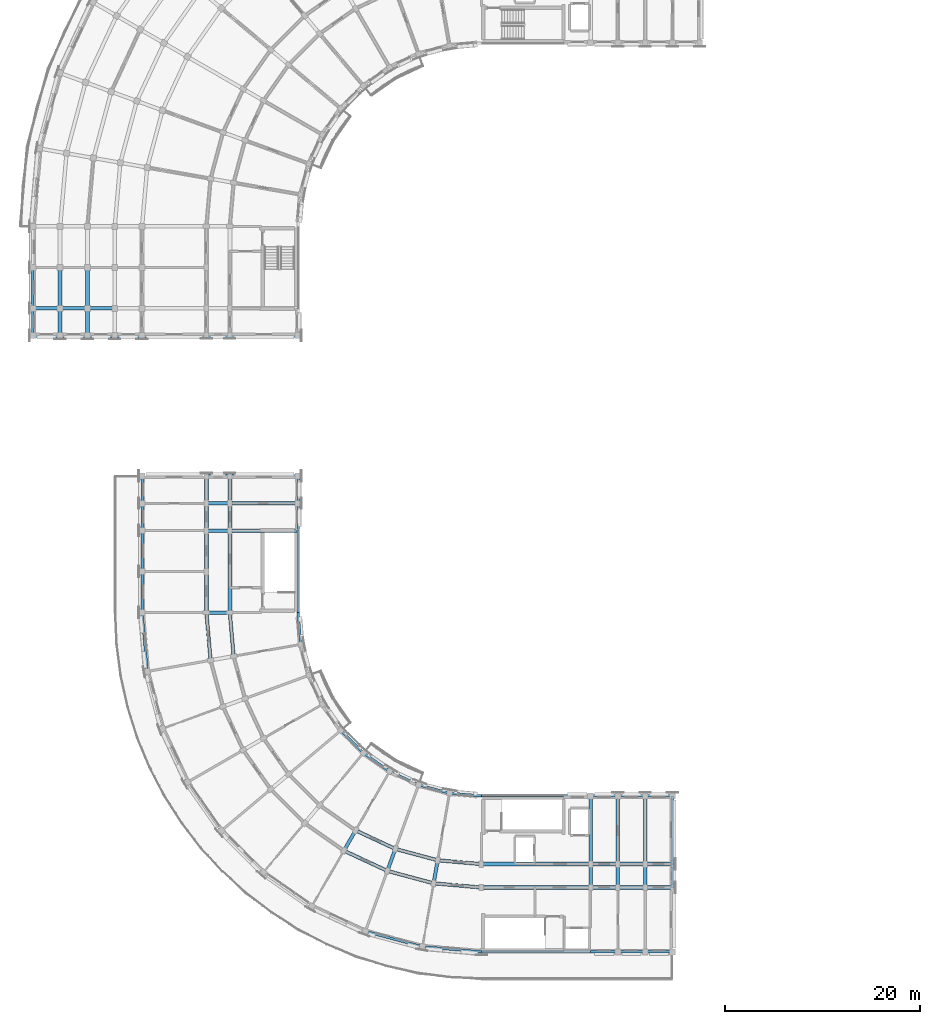
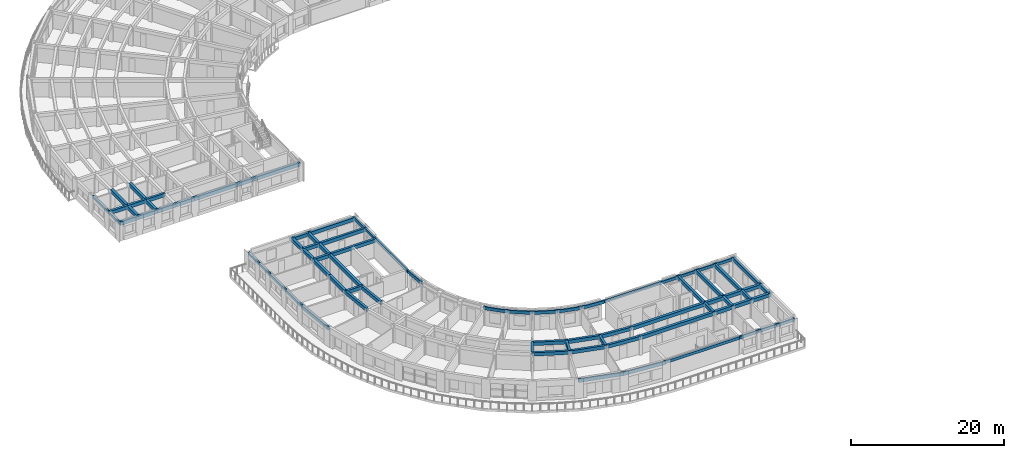
# One storey, part 4 of 53: 81 beams.
"""IFC4 building model written with IfcOpenShell, lengths in metres."""

from ifc_helpers import new_model, si_unit, direction, frame, origin, origin_2d, place, context, subcontext, project, spatial, rectangle, extrude, material, material_profile, profile_set, type_object, element, save


model = new_model("IFC4")

# Units and contexts
model_context = context("Model", 3, precision=1e-05, world=origin(), true_north=direction((0.0, 1.0)))
body_context = subcontext(model_context, "Body", "Model", "MODEL_VIEW")
ifc_project = project(units=[si_unit("LENGTHUNIT", "METRE"), si_unit("AREAUNIT", "SQUARE_METRE"), si_unit("VOLUMEUNIT", "CUBIC_METRE"), si_unit("PLANEANGLEUNIT", "RADIAN"), si_unit("MASSUNIT", "GRAM", prefix="KILO")], contexts=[model_context])

# Site, building, storey
site_placement = place(None, origin())
site = spatial("IfcSite", under=ifc_project, at=site_placement, CompositionType="ELEMENT")
building_placement = place(site_placement, origin())
building = spatial("IfcBuilding", under=site, at=building_placement, Name="Kiranvali Square Residences", CompositionType="ELEMENT")
storey_placement = place(building_placement, frame((0.0, 0.0, 30.75)))
storey = spatial("IfcBuildingStorey", under=building, at=storey_placement, Name="L09", CompositionType="ELEMENT", Elevation=30.75)

# Beams
ifc_material_1 = material(Name="Concrete M40 (40 MPa)", Category="concrete")
ifc_material_profile_1 = material_profile(ifc_material_1, rectangle(XDim=0.35009765625, YDim=0.550048828125, at=origin_2d()), Name="RC 350x550")
ifc_profile_set_1 = profile_set([ifc_material_profile_1], Name="Concrete M40 (40 MPa)")
beam_type_1 = type_object("IfcBeamType", Name="BM-M40-350x550", PredefinedType="BEAM", material=ifc_profile_set_1)
for number, where, z_axis, x_axis, name in (
    (1, (10.60009765625, 79.39990234375, 2.655029296875), (-1.0, 0.0, 0.0), (0.0, -1.0, 0.0), "L09 beam BM-A-L09-A2T1-45"),
    (2, (7.800048828125, 79.39990234375, 2.655029296875), (-1.0, 0.0, 0.0), (0.0, -1.0, 0.0), "L09 beam BM-A-L09-A2T1-56"),
    (3, (5.0, 79.39990234375, 2.655029296875), (-1.0, 0.0, 0.0), (0.0, -1.0, 0.0), "L09 beam BM-A-L09-A2T1-67"),
):
    element("IfcBeam", number, at=place(storey_placement, frame(where, z_axis=z_axis, x_axis=x_axis)), inside=storey, type_object=beam_type_1, Name=name, PredefinedType="BEAM", context=body_context, shape_type="SweptSolid", body=[
        extrude(rectangle(XDim=0.35009765625, YDim=0.550048828125, at=origin_2d()), origin(), (0.0, 0.0, 1.0), 2.800048828125),
    ])
beam_1_placement = place(storey_placement, frame((29.39990234375, 76.60009765625, 2.655029296875), z_axis=(-1.0, 0.0, 0.0), x_axis=(0.0, -1.0, 0.0)))
element("IfcBeam", 4, at=beam_1_placement, inside=storey, type_object=beam_type_1, Name="L09 beam BM-A-L09-A2T2-01", PredefinedType="BEAM", context=body_context, shape_type="SweptSolid", body=[
    extrude(rectangle(XDim=0.35009765625, YDim=0.550048828125, at=origin_2d()), origin(), (0.0, 0.0, 1.0), 7.0),
])
beam_2_placement = place(storey_placement, frame((22.39990234375, 76.60009765625, 2.655029296875), z_axis=(-1.0, 0.0, 0.0), x_axis=(0.0, -1.0, 0.0)))
element("IfcBeam", 5, at=beam_2_placement, inside=storey, type_object=beam_type_1, Name="L09 beam BM-A-L09-A2T2-12", PredefinedType="BEAM", context=body_context, shape_type="SweptSolid", body=[
    extrude(rectangle(XDim=0.35009765625, YDim=0.550048828125, at=origin_2d()), origin(), (0.0, 0.0, 1.0), 2.39990234375),
])
beam_3_placement = place(storey_placement, frame((20.0, 76.60009765625, 2.655029296875), z_axis=(-1.0, 0.0, 0.0), x_axis=(0.0, -1.0, 0.0)))
element("IfcBeam", 6, at=beam_3_placement, inside=storey, type_object=beam_type_1, Name="L09 beam BM-A-L09-A2T2-23", PredefinedType="BEAM", context=body_context, shape_type="SweptSolid", body=[
    extrude(rectangle(XDim=0.35009765625, YDim=0.550048828125, at=origin_2d()), origin(), (0.0, 0.0, 1.0), 6.60009765625),
])
beam_4_placement = place(storey_placement, frame((13.39990234375, 76.60009765625, 2.655029296875), z_axis=(-1.0, 0.0, 0.0), x_axis=(0.0, -1.0, 0.0)))
element("IfcBeam", 7, at=beam_4_placement, inside=storey, type_object=beam_type_1, Name="L09 beam BM-A-L09-A2T2-34", PredefinedType="BEAM", context=body_context, shape_type="SweptSolid", body=[
    extrude(rectangle(XDim=0.35009765625, YDim=0.550048828125, at=origin_2d()), origin(), (0.0, 0.0, 1.0), 2.7998046875),
])
for number, where, z_axis, x_axis, name in (
    (8, (10.60009765625, 76.60009765625, 2.655029296875), (-1.0, 0.0, 0.0), (0.0, -1.0, 0.0), "L09 beam BM-A-L09-A2T2-45"),
    (9, (7.800048828125, 76.60009765625, 2.655029296875), (-1.0, 0.0, 0.0), (0.0, -1.0, 0.0), "L09 beam BM-A-L09-A2T2-56"),
    (10, (5.0, 76.60009765625, 2.655029296875), (-1.0, 0.0, 0.0), (0.0, -1.0, 0.0), "L09 beam BM-A-L09-A2T2-67"),
):
    element("IfcBeam", number, at=place(storey_placement, frame(where, z_axis=z_axis, x_axis=x_axis)), inside=storey, type_object=beam_type_1, Name=name, PredefinedType="BEAM", context=body_context, shape_type="SweptSolid", body=[
        extrude(rectangle(XDim=0.35009765625, YDim=0.550048828125, at=origin_2d()), origin(), (0.0, 0.0, 1.0), 2.800048828125),
    ])
beam_5_placement = place(storey_placement, frame((48.199951171875, 22.39990234375, 2.635009765625), z_axis=(-0.996191949488, 0.087187153726, 0.0), x_axis=(-0.087187153726, -0.996191949488, 0.0)))
element("IfcBeam", 11, at=beam_5_placement, inside=storey, type_object=beam_type_1, Name="L09 beam BM-C-L09-C00-R1", PredefinedType="BEAM", context=body_context, shape_type="SweptSolid", body=[
    extrude(rectangle(XDim=0.35009765625, YDim=0.550048828125, at=origin_2d()), origin(), (0.0, 0.0, 1.0), 4.4970703125),
])
beam_6_placement = place(storey_placement, frame((48.199951171875, 20.0, 2.635009765625), z_axis=(-0.996193663584, 0.087167566415, 0.0), x_axis=(-0.087167566415, -0.996193663584, 0.0)))
element("IfcBeam", 12, at=beam_6_placement, inside=storey, type_object=beam_type_1, Name="L09 beam BM-C-L09-C00-R2", PredefinedType="BEAM", context=body_context, shape_type="SweptSolid", body=[
    extrude(rectangle(XDim=0.35009765625, YDim=0.550048828125, at=origin_2d()), origin(), (0.0, 0.0, 1.0), 4.91552734375),
])
beam_7_placement = place(storey_placement, frame((43.719970703125, 22.7919921875, 2.635009765625), z_axis=(-0.965934240054, 0.258787642463, 0.0), x_axis=(-0.258787642463, -0.965934240054, 0.0)))
element("IfcBeam", 13, at=beam_7_placement, inside=storey, type_object=beam_type_1, Name="L09 beam BM-C-L09-C01-R1", PredefinedType="BEAM", context=body_context, shape_type="SweptSolid", body=[
    extrude(rectangle(XDim=0.35009765625, YDim=0.550048828125, at=origin_2d()), origin(), (0.0, 0.0, 1.0), 4.497314453125),
])
beam_8_placement = place(storey_placement, frame((43.30322265625, 20.428466796875, 2.635009765625), z_axis=(-0.965930095386, 0.258803112091, 0.0), x_axis=(-0.258803112091, -0.965930095386, 0.0)))
element("IfcBeam", 14, at=beam_8_placement, inside=storey, type_object=beam_type_1, Name="L09 beam BM-C-L09-C01-R2", PredefinedType="BEAM", context=body_context, shape_type="SweptSolid", body=[
    extrude(rectangle(XDim=0.35009765625, YDim=0.550048828125, at=origin_2d()), origin(), (0.0, 0.0, 1.0), 4.915771484375),
])
beam_9_placement = place(storey_placement, frame((39.3759765625, 23.955810546875, 2.635009765625), z_axis=(-0.906307919131, 0.422617978463, 0.0), x_axis=(-0.422617978463, -0.906307919131, 0.0)))
element("IfcBeam", 15, at=beam_9_placement, inside=storey, type_object=beam_type_1, Name="L09 beam BM-C-L09-C02-R1", PredefinedType="BEAM", context=body_context, shape_type="SweptSolid", body=[
    extrude(rectangle(XDim=0.35009765625, YDim=0.550048828125, at=origin_2d()), origin(), (0.0, 0.0, 1.0), 4.497314453125),
])
beam_10_placement = place(storey_placement, frame((38.554931640625, 21.70068359375, 2.635009765625), z_axis=(-0.906302381024, 0.422629854778, 0.0), x_axis=(-0.422629854778, -0.906302381024, 0.0)))
element("IfcBeam", 16, at=beam_10_placement, inside=storey, type_object=beam_type_1, Name="L09 beam BM-C-L09-C02-R2", PredefinedType="BEAM", context=body_context, shape_type="SweptSolid", body=[
    extrude(rectangle(XDim=0.35009765625, YDim=0.550048828125, at=origin_2d()), origin(), (0.0, 0.0, 1.0), 4.915283203125),
])
beam_11_placement = place(storey_placement, frame((22.7919921875, 43.719970703125, 2.635009765625), z_axis=(-0.087187153726, 0.996191949488, 0.0), x_axis=(-0.996191949488, -0.087187153726, 0.0)))
element("IfcBeam", 17, at=beam_11_placement, inside=storey, type_object=beam_type_1, Name="L09 beam BM-C-L09-C08-R1", PredefinedType="BEAM", context=body_context, shape_type="SweptSolid", body=[
    extrude(rectangle(XDim=0.35009765625, YDim=0.550048828125, at=origin_2d()), origin(), (0.0, 0.0, 1.0), 4.4970703125),
])
beam_12_placement = place(storey_placement, frame((20.428466796875, 43.30322265625, 2.635009765625), z_axis=(-0.087167566415, 0.996193663584, 0.0), x_axis=(-0.996193663584, -0.087167566415, 0.0)))
element("IfcBeam", 18, at=beam_12_placement, inside=storey, type_object=beam_type_1, Name="L09 beam BM-C-L09-C08-R2", PredefinedType="BEAM", context=body_context, shape_type="SweptSolid", body=[
    extrude(rectangle(XDim=0.35009765625, YDim=0.550048828125, at=origin_2d()), origin(), (0.0, 0.0, 1.0), 4.91552734375),
])
for number, where, z_axis, x_axis, name in (
    (19, (43.719970703125, 22.7919921875, 2.635009765625), (-0.173646056486, -0.984808127031, 0.0), (0.984808127031, -0.173646056486, 0.0), "L09 beam BM-C-L09-RAD01-12"),
    (20, (39.3759765625, 23.955810546875, 2.635009765625), (-0.342110593602, -0.939659694648, 0.0), (0.939659694648, -0.342110593602, 0.0), "L09 beam BM-C-L09-RAD02-12"),
    (21, (35.300048828125, 25.8564453125, 2.635009765625), (-0.500001309137, -0.866024647952, 0.0), (0.866024647952, -0.500001309137, 0.0), "L09 beam BM-C-L09-RAD03-12"),
):
    element("IfcBeam", number, at=place(storey_placement, frame(where, z_axis=z_axis, x_axis=x_axis)), inside=storey, type_object=beam_type_1, Name=name, PredefinedType="BEAM", context=body_context, shape_type="SweptSolid", body=[
        extrude(rectangle(XDim=0.35009765625, YDim=0.550048828125, at=origin_2d()), origin(), (0.0, 0.0, 1.0), 2.39990234375),
    ])
beam_13_placement = place(storey_placement, frame((59.39990234375, 29.39990234375, 2.635009765625), z_axis=(0.0, -1.0, 0.0), x_axis=(1.0, 0.0, 0.0)))
element("IfcBeam", 22, at=beam_13_placement, inside=storey, type_object=beam_type_1, Name="L09 beam BM-C-L09-A1T1-01", PredefinedType="BEAM", context=body_context, shape_type="SweptSolid", body=[
    extrude(rectangle(XDim=0.35009765625, YDim=0.550048828125, at=origin_2d()), origin(), (0.0, 0.0, 1.0), 7.0),
])
beam_14_placement = place(storey_placement, frame((59.39990234375, 22.39990234375, 2.635009765625), z_axis=(0.0, -1.0, 0.0), x_axis=(1.0, 0.0, 0.0)))
element("IfcBeam", 23, at=beam_14_placement, inside=storey, type_object=beam_type_1, Name="L09 beam BM-C-L09-A1T1-12", PredefinedType="BEAM", context=body_context, shape_type="SweptSolid", body=[
    extrude(rectangle(XDim=0.35009765625, YDim=0.550048828125, at=origin_2d()), origin(), (0.0, 0.0, 1.0), 2.39990234375),
])
beam_15_placement = place(storey_placement, frame((62.199951171875, 29.39990234375, 2.635009765625), z_axis=(0.0, -1.0, 0.0), x_axis=(1.0, 0.0, 0.0)))
element("IfcBeam", 24, at=beam_15_placement, inside=storey, type_object=beam_type_1, Name="L09 beam BM-C-L09-A1T2-01", PredefinedType="BEAM", context=body_context, shape_type="SweptSolid", body=[
    extrude(rectangle(XDim=0.35009765625, YDim=0.550048828125, at=origin_2d()), origin(), (0.0, 0.0, 1.0), 7.0),
])
beam_16_placement = place(storey_placement, frame((62.199951171875, 22.39990234375, 2.635009765625), z_axis=(0.0, -1.0, 0.0), x_axis=(1.0, 0.0, 0.0)))
element("IfcBeam", 25, at=beam_16_placement, inside=storey, type_object=beam_type_1, Name="L09 beam BM-C-L09-A1T2-12", PredefinedType="BEAM", context=body_context, shape_type="SweptSolid", body=[
    extrude(rectangle(XDim=0.35009765625, YDim=0.550048828125, at=origin_2d()), origin(), (0.0, 0.0, 1.0), 2.39990234375),
])
beam_17_placement = place(storey_placement, frame((65.0, 29.39990234375, 2.635009765625), z_axis=(0.0, -1.0, 0.0), x_axis=(1.0, 0.0, 0.0)))
element("IfcBeam", 26, at=beam_17_placement, inside=storey, type_object=beam_type_1, Name="L09 beam BM-C-L09-A1T3-01", PredefinedType="BEAM", context=body_context, shape_type="SweptSolid", body=[
    extrude(rectangle(XDim=0.35009765625, YDim=0.550048828125, at=origin_2d()), origin(), (0.0, 0.0, 1.0), 7.0),
])
beam_18_placement = place(storey_placement, frame((65.0, 22.39990234375, 2.635009765625), z_axis=(0.0, -1.0, 0.0), x_axis=(1.0, 0.0, 0.0)))
element("IfcBeam", 27, at=beam_18_placement, inside=storey, type_object=beam_type_1, Name="L09 beam BM-C-L09-A1T3-12", PredefinedType="BEAM", context=body_context, shape_type="SweptSolid", body=[
    extrude(rectangle(XDim=0.35009765625, YDim=0.550048828125, at=origin_2d()), origin(), (0.0, 0.0, 1.0), 2.39990234375),
])
beam_19_placement = place(storey_placement, frame((67.800048828125, 29.39990234375, 2.635009765625), z_axis=(0.0, -1.0, 0.0), x_axis=(1.0, 0.0, 0.0)))
element("IfcBeam", 28, at=beam_19_placement, inside=storey, type_object=beam_type_1, Name="L09 beam BM-C-L09-A1T4-01", PredefinedType="BEAM", context=body_context, shape_type="SweptSolid", body=[
    extrude(rectangle(XDim=0.35009765625, YDim=0.550048828125, at=origin_2d()), origin(), (0.0, 0.0, 1.0), 7.0),
])
for number, where, z_axis, x_axis, name in (
    (29, (67.800048828125, 22.39990234375, 2.635009765625), (0.0, -1.0, 0.0), (1.0, 0.0, 0.0), "L09 beam BM-C-L09-A1T4-12"),
    (30, (22.39990234375, 48.199951171875, 2.635009765625), (-1.0, 0.0, 0.0), (0.0, -1.0, 0.0), "L09 beam BM-C-L09-A2T0-12"),
):
    element("IfcBeam", number, at=place(storey_placement, frame(where, z_axis=z_axis, x_axis=x_axis)), inside=storey, type_object=beam_type_1, Name=name, PredefinedType="BEAM", context=body_context, shape_type="SweptSolid", body=[
        extrude(rectangle(XDim=0.35009765625, YDim=0.550048828125, at=origin_2d()), origin(), (0.0, 0.0, 1.0), 2.39990234375),
    ])
beam_20_placement = place(storey_placement, frame((29.39990234375, 56.60009765625, 2.635009765625), z_axis=(-1.0, 0.0, 0.0), x_axis=(0.0, -1.0, 0.0)))
element("IfcBeam", 31, at=beam_20_placement, inside=storey, type_object=beam_type_1, Name="L09 beam BM-C-L09-A2T1-01", PredefinedType="BEAM", context=body_context, shape_type="SweptSolid", body=[
    extrude(rectangle(XDim=0.35009765625, YDim=0.550048828125, at=origin_2d()), origin(), (0.0, 0.0, 1.0), 7.0),
])
beam_21_placement = place(storey_placement, frame((22.39990234375, 56.60009765625, 2.635009765625), z_axis=(-1.0, 0.0, 0.0), x_axis=(0.0, -1.0, 0.0)))
element("IfcBeam", 32, at=beam_21_placement, inside=storey, type_object=beam_type_1, Name="L09 beam BM-C-L09-A2T1-12", PredefinedType="BEAM", context=body_context, shape_type="SweptSolid", body=[
    extrude(rectangle(XDim=0.35009765625, YDim=0.550048828125, at=origin_2d()), origin(), (0.0, 0.0, 1.0), 2.39990234375),
])
beam_22_placement = place(storey_placement, frame((29.39990234375, 59.39990234375, 2.635009765625), z_axis=(-1.0, 0.0, 0.0), x_axis=(0.0, -1.0, 0.0)))
element("IfcBeam", 33, at=beam_22_placement, inside=storey, type_object=beam_type_1, Name="L09 beam BM-C-L09-A2T2-01", PredefinedType="BEAM", context=body_context, shape_type="SweptSolid", body=[
    extrude(rectangle(XDim=0.35009765625, YDim=0.550048828125, at=origin_2d()), origin(), (0.0, 0.0, 1.0), 7.0),
])
beam_23_placement = place(storey_placement, frame((22.39990234375, 59.39990234375, 2.635009765625), z_axis=(-1.0, 0.0, 0.0), x_axis=(0.0, -1.0, 0.0)))
element("IfcBeam", 34, at=beam_23_placement, inside=storey, type_object=beam_type_1, Name="L09 beam BM-C-L09-A2T2-12", PredefinedType="BEAM", context=body_context, shape_type="SweptSolid", body=[
    extrude(rectangle(XDim=0.35009765625, YDim=0.550048828125, at=origin_2d()), origin(), (0.0, 0.0, 1.0), 2.39990234375),
])
beam_24_placement = place(storey_placement, frame((29.39990234375, 62.199951171875, 2.635009765625), z_axis=(-1.0, 0.0, 0.0), x_axis=(0.0, -1.0, 0.0)))
element("IfcBeam", 35, at=beam_24_placement, inside=storey, type_object=beam_type_1, Name="L09 beam BM-C-L09-A2T3-01", PredefinedType="BEAM", context=body_context, shape_type="SweptSolid", body=[
    extrude(rectangle(XDim=0.35009765625, YDim=0.550048828125, at=origin_2d()), origin(), (0.0, 0.0, 1.0), 7.0),
])
beam_25_placement = place(storey_placement, frame((22.39990234375, 62.199951171875, 2.635009765625), z_axis=(-1.0, 0.0, 0.0), x_axis=(0.0, -1.0, 0.0)))
element("IfcBeam", 36, at=beam_25_placement, inside=storey, type_object=beam_type_1, Name="L09 beam BM-C-L09-A2T3-12", PredefinedType="BEAM", context=body_context, shape_type="SweptSolid", body=[
    extrude(rectangle(XDim=0.35009765625, YDim=0.550048828125, at=origin_2d()), origin(), (0.0, 0.0, 1.0), 2.39990234375),
])
ifc_material_2 = material(Name="Concrete M45 (45 MPa)", Category="concrete")
ifc_material_profile_2 = material_profile(ifc_material_2, rectangle(XDim=0.39990234375, YDim=0.550048828125, at=origin_2d()), Name="RC 400x550")
ifc_profile_set_2 = profile_set([ifc_material_profile_2], Name="Concrete M45 (45 MPa)")
beam_type_2 = type_object("IfcBeamType", Name="BM-M45-400x550", PredefinedType="BEAM", material=ifc_profile_set_2)
beam_26_placement = place(storey_placement, frame((7.800048828125, 83.60009765625, 2.655029296875), z_axis=(0.0, -1.0, 0.0), x_axis=(1.0, 0.0, 0.0)))
element("IfcBeam", 37, at=beam_26_placement, inside=storey, type_object=beam_type_2, Name="L09 beam BM-A-L09-A2V1-R5", PredefinedType="BEAM", context=body_context, shape_type="SweptSolid", body=[
    extrude(rectangle(XDim=0.39990234375, YDim=0.550048828125, at=origin_2d()), origin(), (0.0, 0.0, 1.0), 4.2001953125),
])
beam_27_placement = place(storey_placement, frame((7.800048828125, 79.39990234375, 2.655029296875), z_axis=(0.0, -1.0, 0.0), x_axis=(1.0, 0.0, 0.0)))
element("IfcBeam", 38, at=beam_27_placement, inside=storey, type_object=beam_type_2, Name="L09 beam BM-A-L09-A2V2-R5", PredefinedType="BEAM", context=body_context, shape_type="SweptSolid", body=[
    extrude(rectangle(XDim=0.39990234375, YDim=0.550048828125, at=origin_2d()), origin(), (0.0, 0.0, 1.0), 2.7998046875),
])
beam_28_placement = place(storey_placement, frame((5.0, 83.60009765625, 2.655029296875), z_axis=(0.0, -1.0, 0.0), x_axis=(1.0, 0.0, 0.0)))
element("IfcBeam", 39, at=beam_28_placement, inside=storey, type_object=beam_type_2, Name="L09 beam BM-A-L09-A2V1-R6", PredefinedType="BEAM", context=body_context, shape_type="SweptSolid", body=[
    extrude(rectangle(XDim=0.39990234375, YDim=0.550048828125, at=origin_2d()), origin(), (0.0, 0.0, 1.0), 4.2001953125),
])
beam_29_placement = place(storey_placement, frame((5.0, 79.39990234375, 2.655029296875), z_axis=(0.0, -1.0, 0.0), x_axis=(1.0, 0.0, 0.0)))
element("IfcBeam", 40, at=beam_29_placement, inside=storey, type_object=beam_type_2, Name="L09 beam BM-A-L09-A2V2-R6", PredefinedType="BEAM", context=body_context, shape_type="SweptSolid", body=[
    extrude(rectangle(XDim=0.39990234375, YDim=0.550048828125, at=origin_2d()), origin(), (0.0, 0.0, 1.0), 2.7998046875),
])
beam_30_placement = place(storey_placement, frame((48.199951171875, 22.39990234375, 2.635009765625), z_axis=(1.0, 0.0, 0.0), x_axis=(0.0, 1.0, 0.0)))
element("IfcBeam", 41, at=beam_30_placement, inside=storey, type_object=beam_type_2, Name="L09 beam BM-C-L09-A1U0-R1", PredefinedType="BEAM", context=body_context, shape_type="SweptSolid", body=[
    extrude(rectangle(XDim=0.39990234375, YDim=0.550048828125, at=origin_2d()), origin(), (0.0, 0.0, 1.0), 11.199951171875),
])
for number, where, z_axis, x_axis, name in (
    (42, (59.39990234375, 22.39990234375, 2.635009765625), (1.0, 0.0, 0.0), (0.0, 1.0, 0.0), "L09 beam BM-C-L09-A1U1-R1"),
    (43, (62.199951171875, 22.39990234375, 2.635009765625), (1.0, 0.0, 0.0), (0.0, 1.0, 0.0), "L09 beam BM-C-L09-A1U2-R1"),
    (44, (65.0, 22.39990234375, 2.635009765625), (1.0, 0.0, 0.0), (0.0, 1.0, 0.0), "L09 beam BM-C-L09-A1U3-R1"),
):
    element("IfcBeam", number, at=place(storey_placement, frame(where, z_axis=z_axis, x_axis=x_axis)), inside=storey, type_object=beam_type_2, Name=name, PredefinedType="BEAM", context=body_context, shape_type="SweptSolid", body=[
        extrude(rectangle(XDim=0.39990234375, YDim=0.550048828125, at=origin_2d()), origin(), (0.0, 0.0, 1.0), 2.800048828125),
    ])
beam_31_placement = place(storey_placement, frame((48.199951171875, 20.0, 2.635009765625), z_axis=(1.0, 0.0, 0.0), x_axis=(0.0, 1.0, 0.0)))
element("IfcBeam", 45, at=beam_31_placement, inside=storey, type_object=beam_type_2, Name="L09 beam BM-C-L09-A1U0-R2", PredefinedType="BEAM", context=body_context, shape_type="SweptSolid", body=[
    extrude(rectangle(XDim=0.39990234375, YDim=0.550048828125, at=origin_2d()), origin(), (0.0, 0.0, 1.0), 11.199951171875),
])
for number, where, z_axis, x_axis, name in (
    (46, (59.39990234375, 20.0, 2.635009765625), (1.0, 0.0, 0.0), (0.0, 1.0, 0.0), "L09 beam BM-C-L09-A1U1-R2"),
    (47, (62.199951171875, 20.0, 2.635009765625), (1.0, 0.0, 0.0), (0.0, 1.0, 0.0), "L09 beam BM-C-L09-A1U2-R2"),
    (48, (65.0, 20.0, 2.635009765625), (1.0, 0.0, 0.0), (0.0, 1.0, 0.0), "L09 beam BM-C-L09-A1U3-R2"),
):
    element("IfcBeam", number, at=place(storey_placement, frame(where, z_axis=z_axis, x_axis=x_axis)), inside=storey, type_object=beam_type_2, Name=name, PredefinedType="BEAM", context=body_context, shape_type="SweptSolid", body=[
        extrude(rectangle(XDim=0.39990234375, YDim=0.550048828125, at=origin_2d()), origin(), (0.0, 0.0, 1.0), 2.800048828125),
    ])
beam_32_placement = place(storey_placement, frame((22.39990234375, 48.199951171875, 2.635009765625), z_axis=(0.0, 1.0, 0.0), x_axis=(-1.0, 0.0, 0.0)))
element("IfcBeam", 49, at=beam_32_placement, inside=storey, type_object=beam_type_2, Name="L09 beam BM-C-L09-A2V0-R1", PredefinedType="BEAM", context=body_context, shape_type="SweptSolid", body=[
    extrude(rectangle(XDim=0.39990234375, YDim=0.550048828125, at=origin_2d()), origin(), (0.0, 0.0, 1.0), 8.400146484375),
])
beam_33_placement = place(storey_placement, frame((22.39990234375, 56.60009765625, 2.635009765625), z_axis=(0.0, 1.0, 0.0), x_axis=(-1.0, 0.0, 0.0)))
element("IfcBeam", 50, at=beam_33_placement, inside=storey, type_object=beam_type_2, Name="L09 beam BM-C-L09-A2V1-R1", PredefinedType="BEAM", context=body_context, shape_type="SweptSolid", body=[
    extrude(rectangle(XDim=0.39990234375, YDim=0.550048828125, at=origin_2d()), origin(), (0.0, 0.0, 1.0), 2.7998046875),
])
beam_34_placement = place(storey_placement, frame((22.39990234375, 59.39990234375, 2.635009765625), z_axis=(0.0, 1.0, 0.0), x_axis=(-1.0, 0.0, 0.0)))
element("IfcBeam", 51, at=beam_34_placement, inside=storey, type_object=beam_type_2, Name="L09 beam BM-C-L09-A2V2-R1", PredefinedType="BEAM", context=body_context, shape_type="SweptSolid", body=[
    extrude(rectangle(XDim=0.39990234375, YDim=0.550048828125, at=origin_2d()), origin(), (0.0, 0.0, 1.0), 2.800048828125),
])
beam_35_placement = place(storey_placement, frame((20.0, 48.199951171875, 2.635009765625), z_axis=(0.0, 1.0, 0.0), x_axis=(-1.0, 0.0, 0.0)))
element("IfcBeam", 52, at=beam_35_placement, inside=storey, type_object=beam_type_2, Name="L09 beam BM-C-L09-A2V0-R2", PredefinedType="BEAM", context=body_context, shape_type="SweptSolid", body=[
    extrude(rectangle(XDim=0.39990234375, YDim=0.550048828125, at=origin_2d()), origin(), (0.0, 0.0, 1.0), 4.199951171875),
])
beam_36_placement = place(storey_placement, frame((20.0, 52.39990234375, 2.635009765625), z_axis=(0.0, 1.0, 0.0), x_axis=(-1.0, 0.0, 0.0)))
element("IfcBeam", 53, at=beam_36_placement, inside=storey, type_object=beam_type_2, Name="L09 beam BM-C-L09-A2V1-R2", PredefinedType="BEAM", context=body_context, shape_type="SweptSolid", body=[
    extrude(rectangle(XDim=0.39990234375, YDim=0.550048828125, at=origin_2d()), origin(), (0.0, 0.0, 1.0), 4.2001953125),
])
beam_37_placement = place(storey_placement, frame((20.0, 56.60009765625, 2.635009765625), z_axis=(0.0, 1.0, 0.0), x_axis=(-1.0, 0.0, 0.0)))
element("IfcBeam", 54, at=beam_37_placement, inside=storey, type_object=beam_type_2, Name="L09 beam BM-C-L09-A2V2-R2", PredefinedType="BEAM", context=body_context, shape_type="SweptSolid", body=[
    extrude(rectangle(XDim=0.39990234375, YDim=0.550048828125, at=origin_2d()), origin(), (0.0, 0.0, 1.0), 2.7998046875),
])
beam_38_placement = place(storey_placement, frame((20.0, 59.39990234375, 2.635009765625), z_axis=(0.0, 1.0, 0.0), x_axis=(-1.0, 0.0, 0.0)))
element("IfcBeam", 55, at=beam_38_placement, inside=storey, type_object=beam_type_2, Name="L09 beam BM-C-L09-A2V3-R2", PredefinedType="BEAM", context=body_context, shape_type="SweptSolid", body=[
    extrude(rectangle(XDim=0.39990234375, YDim=0.550048828125, at=origin_2d()), origin(), (0.0, 0.0, 1.0), 2.800048828125),
])
ifc_material_profile_3 = material_profile(ifc_material_1, rectangle(XDim=0.25, YDim=0.449951171875, at=origin_2d()), Name="RC 250x450")
ifc_profile_set_3 = profile_set([ifc_material_profile_3], Name="Concrete M40 (40 MPa)")
beam_type_3 = type_object("IfcBeamType", Name="SPN-M40-250x450", PredefinedType="SPANDREL", material=ifc_profile_set_3)
beam_39_placement = place(storey_placement, frame((2.199951171875, 83.60009765625, 2.705078125), z_axis=(0.0, -1.0, 0.0), x_axis=(1.0, 0.0, 0.0)))
element("IfcBeam", 56, at=beam_39_placement, inside=storey, type_object=beam_type_3, Name="L09 beam BM-A-L09-A2V1-R7", PredefinedType="SPANDREL", context=body_context, shape_type="SweptSolid", body=[
    extrude(rectangle(XDim=0.25, YDim=0.449951171875, at=origin_2d()), origin(), (0.0, 0.0, 1.0), 4.2001953125),
])
beam_40_placement = place(storey_placement, frame((2.199951171875, 79.39990234375, 2.705078125), z_axis=(0.0, -1.0, 0.0), x_axis=(1.0, 0.0, 0.0)))
element("IfcBeam", 57, at=beam_40_placement, inside=storey, type_object=beam_type_3, Name="L09 beam BM-A-L09-A2V2-R7", PredefinedType="SPANDREL", context=body_context, shape_type="SweptSolid", body=[
    extrude(rectangle(XDim=0.25, YDim=0.449951171875, at=origin_2d()), origin(), (0.0, 0.0, 1.0), 2.7998046875),
])
beam_41_placement = place(storey_placement, frame((48.199951171875, 29.39990234375, 2.68505859375), z_axis=(1.0, 0.0, 0.0), x_axis=(0.0, 1.0, 0.0)))
element("IfcBeam", 58, at=beam_41_placement, inside=storey, type_object=beam_type_3, Name="L09 beam BM-C-L09-A1U0-R0", PredefinedType="SPANDREL", context=body_context, shape_type="SweptSolid", body=[
    extrude(rectangle(XDim=0.25, YDim=0.449951171875, at=origin_2d()), origin(), (0.0, 0.0, 1.0), 11.199951171875),
])
for number, where, z_axis, x_axis, name in (
    (59, (59.39990234375, 29.39990234375, 2.68505859375), (1.0, 0.0, 0.0), (0.0, 1.0, 0.0), "L09 beam BM-C-L09-A1U1-R0"),
    (60, (62.199951171875, 29.39990234375, 2.68505859375), (1.0, 0.0, 0.0), (0.0, 1.0, 0.0), "L09 beam BM-C-L09-A1U2-R0"),
    (61, (65.0, 29.39990234375, 2.68505859375), (1.0, 0.0, 0.0), (0.0, 1.0, 0.0), "L09 beam BM-C-L09-A1U3-R0"),
):
    element("IfcBeam", number, at=place(storey_placement, frame(where, z_axis=z_axis, x_axis=x_axis)), inside=storey, type_object=beam_type_3, Name=name, PredefinedType="SPANDREL", context=body_context, shape_type="SweptSolid", body=[
        extrude(rectangle(XDim=0.25, YDim=0.449951171875, at=origin_2d()), origin(), (0.0, 0.0, 1.0), 2.800048828125),
    ])
beam_42_placement = place(storey_placement, frame((48.199951171875, 13.39990234375, 2.68505859375), z_axis=(1.0, 0.0, 0.0), x_axis=(0.0, 1.0, 0.0)))
element("IfcBeam", 62, at=beam_42_placement, inside=storey, type_object=beam_type_3, Name="L09 beam BM-C-L09-A1U0-R3", PredefinedType="SPANDREL", context=body_context, shape_type="SweptSolid", body=[
    extrude(rectangle(XDim=0.25, YDim=0.449951171875, at=origin_2d()), origin(), (0.0, 0.0, 1.0), 11.199951171875),
])
for number, where, z_axis, x_axis, name in (
    (63, (59.39990234375, 13.39990234375, 2.68505859375), (1.0, 0.0, 0.0), (0.0, 1.0, 0.0), "L09 beam BM-C-L09-A1U1-R3"),
    (64, (62.199951171875, 13.39990234375, 2.68505859375), (1.0, 0.0, 0.0), (0.0, 1.0, 0.0), "L09 beam BM-C-L09-A1U2-R3"),
    (65, (65.0, 13.39990234375, 2.68505859375), (1.0, 0.0, 0.0), (0.0, 1.0, 0.0), "L09 beam BM-C-L09-A1U3-R3"),
):
    element("IfcBeam", number, at=place(storey_placement, frame(where, z_axis=z_axis, x_axis=x_axis)), inside=storey, type_object=beam_type_3, Name=name, PredefinedType="SPANDREL", context=body_context, shape_type="SweptSolid", body=[
        extrude(rectangle(XDim=0.25, YDim=0.449951171875, at=origin_2d()), origin(), (0.0, 0.0, 1.0), 2.800048828125),
    ])
beam_43_placement = place(storey_placement, frame((29.39990234375, 48.199951171875, 2.68505859375), z_axis=(0.0, 1.0, 0.0), x_axis=(-1.0, 0.0, 0.0)))
element("IfcBeam", 66, at=beam_43_placement, inside=storey, type_object=beam_type_3, Name="L09 beam BM-C-L09-A2V0-R0", PredefinedType="SPANDREL", context=body_context, shape_type="SweptSolid", body=[
    extrude(rectangle(XDim=0.25, YDim=0.449951171875, at=origin_2d()), origin(), (0.0, 0.0, 1.0), 8.400146484375),
])
beam_44_placement = place(storey_placement, frame((29.39990234375, 56.60009765625, 2.68505859375), z_axis=(0.0, 1.0, 0.0), x_axis=(-1.0, 0.0, 0.0)))
element("IfcBeam", 67, at=beam_44_placement, inside=storey, type_object=beam_type_3, Name="L09 beam BM-C-L09-A2V1-R0", PredefinedType="SPANDREL", context=body_context, shape_type="SweptSolid", body=[
    extrude(rectangle(XDim=0.25, YDim=0.449951171875, at=origin_2d()), origin(), (0.0, 0.0, 1.0), 2.7998046875),
])
beam_45_placement = place(storey_placement, frame((29.39990234375, 59.39990234375, 2.68505859375), z_axis=(0.0, 1.0, 0.0), x_axis=(-1.0, 0.0, 0.0)))
element("IfcBeam", 68, at=beam_45_placement, inside=storey, type_object=beam_type_3, Name="L09 beam BM-C-L09-A2V2-R0", PredefinedType="SPANDREL", context=body_context, shape_type="SweptSolid", body=[
    extrude(rectangle(XDim=0.25, YDim=0.449951171875, at=origin_2d()), origin(), (0.0, 0.0, 1.0), 2.800048828125),
])
beam_46_placement = place(storey_placement, frame((13.39990234375, 48.199951171875, 2.68505859375), z_axis=(0.0, 1.0, 0.0), x_axis=(-1.0, 0.0, 0.0)))
element("IfcBeam", 69, at=beam_46_placement, inside=storey, type_object=beam_type_3, Name="L09 beam BM-C-L09-A2V0-R3", PredefinedType="SPANDREL", context=body_context, shape_type="SweptSolid", body=[
    extrude(rectangle(XDim=0.25, YDim=0.449951171875, at=origin_2d()), origin(), (0.0, 0.0, 1.0), 4.199951171875),
])
beam_47_placement = place(storey_placement, frame((13.39990234375, 52.39990234375, 2.68505859375), z_axis=(0.0, 1.0, 0.0), x_axis=(-1.0, 0.0, 0.0)))
element("IfcBeam", 70, at=beam_47_placement, inside=storey, type_object=beam_type_3, Name="L09 beam BM-C-L09-A2V1-R3", PredefinedType="SPANDREL", context=body_context, shape_type="SweptSolid", body=[
    extrude(rectangle(XDim=0.25, YDim=0.449951171875, at=origin_2d()), origin(), (0.0, 0.0, 1.0), 4.2001953125),
])
beam_48_placement = place(storey_placement, frame((13.39990234375, 56.60009765625, 2.68505859375), z_axis=(0.0, 1.0, 0.0), x_axis=(-1.0, 0.0, 0.0)))
element("IfcBeam", 71, at=beam_48_placement, inside=storey, type_object=beam_type_3, Name="L09 beam BM-C-L09-A2V2-R3", PredefinedType="SPANDREL", context=body_context, shape_type="SweptSolid", body=[
    extrude(rectangle(XDim=0.25, YDim=0.449951171875, at=origin_2d()), origin(), (0.0, 0.0, 1.0), 2.7998046875),
])
beam_49_placement = place(storey_placement, frame((13.39990234375, 59.39990234375, 2.68505859375), z_axis=(0.0, 1.0, 0.0), x_axis=(-1.0, 0.0, 0.0)))
element("IfcBeam", 72, at=beam_49_placement, inside=storey, type_object=beam_type_3, Name="L09 beam BM-C-L09-A2V3-R3", PredefinedType="SPANDREL", context=body_context, shape_type="SweptSolid", body=[
    extrude(rectangle(XDim=0.25, YDim=0.449951171875, at=origin_2d()), origin(), (0.0, 0.0, 1.0), 2.800048828125),
])
ifc_material_profile_4 = material_profile(ifc_material_1, rectangle(XDim=0.25, YDim=0.5, at=origin_2d()), Name="RC 250x500")
ifc_profile_set_4 = profile_set([ifc_material_profile_4], Name="Concrete M40 (40 MPa)")
beam_type_4 = type_object("IfcBeamType", Name="SPN-M40-250x500", PredefinedType="SPANDREL", material=ifc_profile_set_4)
beam_50_placement = place(storey_placement, frame((48.199951171875, 29.39990234375, 2.659912109375), z_axis=(-0.996194040944, 0.087163253657, 0.0), x_axis=(-0.087163253657, -0.996194040944, 0.0)))
element("IfcBeam", 73, at=beam_50_placement, inside=storey, type_object=beam_type_4, Name="L09 beam BM-C-L09-C00-R0", PredefinedType="SPANDREL", context=body_context, shape_type="SweptSolid", body=[
    extrude(rectangle(XDim=0.25, YDim=0.5, at=origin_2d()), origin(), (0.0, 0.0, 1.0), 3.277099609375),
])
beam_51_placement = place(storey_placement, frame((44.935302734375, 29.685546875, 2.659912109375), z_axis=(-0.965925105099, 0.258821736607, 0.0), x_axis=(-0.258821736607, -0.965925105099, 0.0)))
element("IfcBeam", 74, at=beam_51_placement, inside=storey, type_object=beam_type_4, Name="L09 beam BM-C-L09-C01-R0", PredefinedType="SPANDREL", context=body_context, shape_type="SweptSolid", body=[
    extrude(rectangle(XDim=0.25, YDim=0.5, at=origin_2d()), origin(), (0.0, 0.0, 1.0), 3.27685546875),
])
for number, where, z_axis, x_axis, name in (
    (75, (41.77001953125, 30.53369140625, 2.659912109375), (-0.90629730464, 0.422640740585, 0.0), (-0.422640740585, -0.90629730464, 0.0), "L09 beam BM-C-L09-C02-R0"),
    (76, (38.800048828125, 31.918701171875, 2.659912109375), (-0.81916891812, 0.573552337269, 0.0), (-0.573552337269, -0.81916891812, 0.0), "L09 beam BM-C-L09-C03-R0"),
):
    element("IfcBeam", number, at=place(storey_placement, frame(where, z_axis=z_axis, x_axis=x_axis)), inside=storey, type_object=beam_type_4, Name=name, PredefinedType="SPANDREL", context=body_context, shape_type="SweptSolid", body=[
        extrude(rectangle(XDim=0.25, YDim=0.5, at=origin_2d()), origin(), (0.0, 0.0, 1.0), 3.277099609375),
    ])
beam_52_placement = place(storey_placement, frame((36.115478515625, 33.79833984375, 2.659912109375), z_axis=(-0.707106781187, 0.707106781187, 0.0), x_axis=(-0.707106781187, -0.707106781187, 0.0)))
element("IfcBeam", 77, at=beam_52_placement, inside=storey, type_object=beam_type_4, Name="L09 beam BM-C-L09-C04-R0", PredefinedType="SPANDREL", context=body_context, shape_type="SweptSolid", body=[
    extrude(rectangle(XDim=0.25, YDim=0.5, at=origin_2d()), origin(), (0.0, 0.0, 1.0), 3.27685546875),
])
beam_53_placement = place(storey_placement, frame((29.685546875, 44.935302734375, 2.659912109375), z_axis=(-0.087163253657, 0.996194040944, 0.0), x_axis=(-0.996194040944, -0.087163253657, 0.0)))
element("IfcBeam", 78, at=beam_53_placement, inside=storey, type_object=beam_type_4, Name="L09 beam BM-C-L09-C08-R0", PredefinedType="SPANDREL", context=body_context, shape_type="SweptSolid", body=[
    extrude(rectangle(XDim=0.25, YDim=0.5, at=origin_2d()), origin(), (0.0, 0.0, 1.0), 3.277099609375),
])
ifc_material_profile_5 = material_profile(ifc_material_1, rectangle(XDim=0.25, YDim=0.550048828125, at=origin_2d()), Name="RC 250x550")
ifc_profile_set_5 = profile_set([ifc_material_profile_5], Name="Concrete M40 (40 MPa)")
beam_type_5 = type_object("IfcBeamType", Name="SPN-M40-250x550", PredefinedType="SPANDREL", material=ifc_profile_set_5)
for number, where, z_axis, x_axis, name in (
    (79, (48.199951171875, 13.39990234375, 2.635009765625), (-0.996193018494, 0.087174938512, 0.0), (-0.087174938512, -0.996193018494, 0.0), "L09 beam BM-C-L09-C00-R3"),
    (80, (42.156982421875, 13.9287109375, 2.635009765625), (-0.965923618901, 0.258827283048, 0.0), (-0.258827283048, -0.965923618901, 0.0), "L09 beam BM-C-L09-C01-R3"),
    (81, (13.9287109375, 42.156982421875, 2.635009765625), (-0.087174938512, 0.996193018494, 0.0), (-0.996193018494, -0.087174938512, 0.0), "L09 beam BM-C-L09-C08-R3"),
):
    element("IfcBeam", number, at=place(storey_placement, frame(where, z_axis=z_axis, x_axis=x_axis)), inside=storey, type_object=beam_type_5, Name=name, PredefinedType="SPANDREL", context=body_context, shape_type="SweptSolid", body=[
        extrude(rectangle(XDim=0.25, YDim=0.550048828125, at=origin_2d()), origin(), (0.0, 0.0, 1.0), 6.066162109375),
    ])

save(model, "model.ifc")
